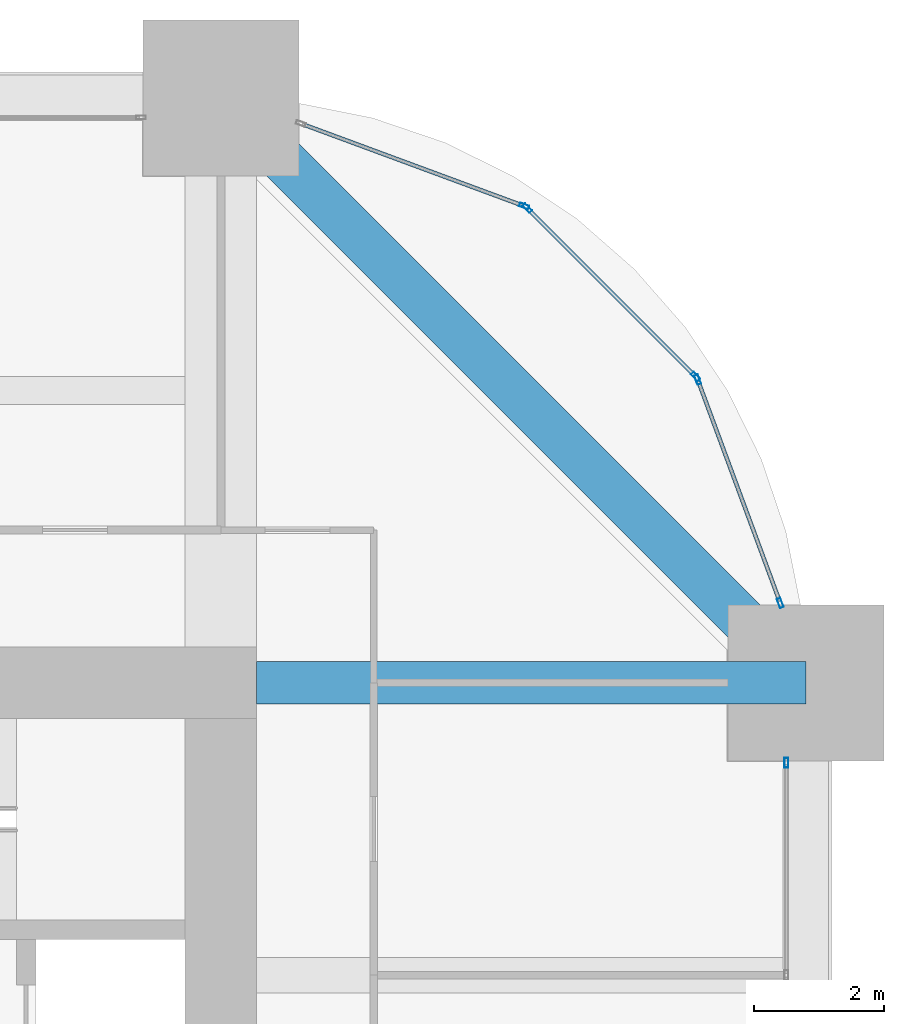
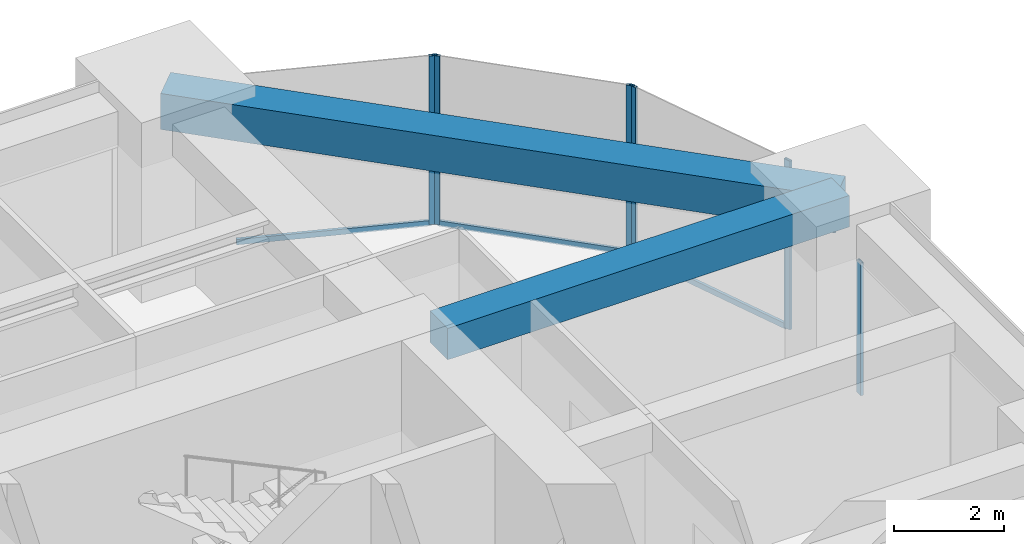
# One storey, part 27 of 33: 9 members, 2 beams, 4 elements without a shape of their own.
"""IFC4 building model written with IfcOpenShell, lengths in metres."""

from ifc_helpers import new_model, si_unit, direction, frame, origin, origin_2d, place, context, subcontext, project, spatial, rectangle, hollow_rectangle, extrude, material, material_profile, profile_set, type_object, element, aggregate, save


model = new_model("IFC4")

# Units and contexts
model_context = context("Model", 3, precision=1e-05, world=origin(), true_north=direction((0.0, 1.0)))
body_context = subcontext(model_context, "Body", "Model", "MODEL_VIEW")
ifc_project = project(units=[si_unit("LENGTHUNIT", "METRE"), si_unit("AREAUNIT", "SQUARE_METRE"), si_unit("VOLUMEUNIT", "CUBIC_METRE"), si_unit("PLANEANGLEUNIT", "RADIAN"), si_unit("MASSUNIT", "GRAM", prefix="KILO")], contexts=[model_context])

# Site, building, storey
site_placement = place(None, origin())
site = spatial("IfcSite", under=ifc_project, at=site_placement, CompositionType="ELEMENT")
building_placement = place(site_placement, origin())
building = spatial("IfcBuilding", under=site, at=building_placement, Name="Zorevar Civic Tower", CompositionType="ELEMENT")
storey_placement = place(building_placement, frame((0.0, 0.0, 206.199951171875)))
storey = spatial("IfcBuildingStorey", under=building, at=storey_placement, Name="L50", CompositionType="ELEMENT", Elevation=206.199951171875)

# Beam
ifc_material_1 = material(Name="Concrete C50/60", Category="concrete")
ifc_material_profile_1 = material_profile(ifc_material_1, rectangle(XDim=0.64990234375, YDim=0.699951171875, at=origin_2d()), Name="RC 650x700")
ifc_profile_set_1 = profile_set([ifc_material_profile_1], Name="Concrete C50/60")
beam_type_1 = type_object("IfcBeamType", Name="Beam RC 650x700", PredefinedType="BEAM", material=ifc_profile_set_1)
beam_1_placement = place(storey_placement, frame((45.550048828125, 36.0, 3.400146484375), z_axis=(1.0, 0.0, 0.0), x_axis=(0.0, 1.0, 0.0)))
element("IfcBeam", 1, at=beam_1_placement, inside=storey, type_object=beam_type_1, Name="Girder L51", PredefinedType="BEAM", context=body_context, shape_type="SweptSolid", body=[
    extrude(rectangle(XDim=0.64990234375, YDim=0.699951171875, at=origin_2d()), origin(), (0.0, 0.0, 1.0), 8.449951171875),
])

# Curtain wall, member
ifc_material_2 = material(Name="Dark grey solar-control glass in black aluminium frame", Category="aluminium")
curtain_wall_type = type_object("IfcCurtainWallType", Name="Curtain wall CW4 high zone", PredefinedType="NOTDEFINED", material=ifc_material_2)
curtain_wall_1_placement = place(storey_placement, origin())
curtain_wall_1 = element("IfcCurtainWall", 2, at=curtain_wall_1_placement, inside=storey, type_object=curtain_wall_type, Name="CW4 L50", PredefinedType="NOTDEFINED")
ifc_material_3 = material(Name="Aluminium, black anodised", Category="aluminium")
ifc_material_profile_2 = material_profile(ifc_material_3, hollow_rectangle(XDim=0.06005859375, YDim=0.14990234375, WallThickness=0.00390625, at=origin_2d()), Name="AL 150x60x4")
ifc_profile_set_2 = profile_set([ifc_material_profile_2], Name="Aluminium, black anodised")
member_type_1 = type_object("IfcMemberType", Name="CW4 mullion AL 150x60x4", PredefinedType="MULLION", material=ifc_profile_set_2)
member_1_placement = place(storey_placement, frame((53.699951171875, 34.77001953125, 0.0), z_axis=(0.0, 0.0, 1.0), x_axis=(-1.0, 0.0, 0.0)))
member_1 = element("IfcMember", 3, at=member_1_placement, type_object=member_type_1, Name="CW4 mullion 3", PredefinedType="MULLION", context=body_context, shape_type="SweptSolid", body=[
    extrude(hollow_rectangle(XDim=0.06005859375, YDim=0.14990234375, WallThickness=0.00390625, at=origin_2d()), origin(), (0.0, 0.0, 1.0), 2.949951171875),
])
aggregate(curtain_wall_1, [member_1])

# Curtain wall, members
curtain_wall_2_placement = place(storey_placement, origin())
curtain_wall_2 = element("IfcCurtainWall", 4, at=curtain_wall_2_placement, inside=storey, type_object=curtain_wall_type, Name="CW4 L50", PredefinedType="NOTDEFINED")
member_2_placement = place(storey_placement, frame((53.6064453125, 37.22802734375, 0.0), z_axis=(0.0, 0.0, 1.0), x_axis=(-0.937974588163, -0.346704012033, 0.0)))
member_2 = element("IfcMember", 5, at=member_2_placement, type_object=member_type_1, Name="CW4 mullion 1", PredefinedType="MULLION", context=body_context, shape_type="SweptSolid", body=[
    extrude(hollow_rectangle(XDim=0.06005859375, YDim=0.14990234375, WallThickness=0.00390625, at=origin_2d()), origin(), (0.0, 0.0, 1.0), 3.75),
])
member_3_placement = place(storey_placement, frame((52.336181640625, 40.66455078125, 0.0), z_axis=(0.0, 0.0, 1.0), x_axis=(-0.937974588163, -0.346704012033, 0.0)))
member_3 = element("IfcMember", 6, at=member_3_placement, type_object=member_type_1, Name="CW4 mullion 2", PredefinedType="MULLION", context=body_context, shape_type="SweptSolid", body=[
    extrude(hollow_rectangle(XDim=0.06005859375, YDim=0.14990234375, WallThickness=0.00390625, at=origin_2d()), origin(), (0.0, 0.0, 1.0), 3.75),
])

curtain_wall_3_placement = place(storey_placement, origin())
curtain_wall_3 = element("IfcCurtainWall", 7, at=curtain_wall_3_placement, inside=storey, type_object=curtain_wall_type, Name="CW4 L50", PredefinedType="NOTDEFINED")
member_4_placement = place(storey_placement, frame((52.3046875, 40.7138671875, 0.0), z_axis=(0.0, 0.0, 1.0), x_axis=(-0.707106781187, -0.707106781187, 0.0)))
member_4 = element("IfcMember", 8, at=member_4_placement, type_object=member_type_1, Name="CW4 mullion 1", PredefinedType="MULLION", context=body_context, shape_type="SweptSolid", body=[
    extrude(hollow_rectangle(XDim=0.06005859375, YDim=0.14990234375, WallThickness=0.00390625, at=origin_2d()), origin(), (0.0, 0.0, 1.0), 3.75),
])
member_5_placement = place(storey_placement, frame((49.7138671875, 43.3046875, 0.0), z_axis=(0.0, 0.0, 1.0), x_axis=(-0.707106781187, -0.707106781187, 0.0)))
member_5 = element("IfcMember", 9, at=member_5_placement, type_object=member_type_1, Name="CW4 mullion 2", PredefinedType="MULLION", context=body_context, shape_type="SweptSolid", body=[
    extrude(hollow_rectangle(XDim=0.06005859375, YDim=0.14990234375, WallThickness=0.00390625, at=origin_2d()), origin(), (0.0, 0.0, 1.0), 3.75),
])

# Curtain wall, member
curtain_wall_4_placement = place(storey_placement, origin())
curtain_wall_4 = element("IfcCurtainWall", 10, at=curtain_wall_4_placement, inside=storey, type_object=curtain_wall_type, Name="CW4 L50", PredefinedType="NOTDEFINED")
member_6_placement = place(storey_placement, frame((49.66455078125, 43.336181640625, 0.0), z_axis=(0.0, 0.0, 1.0), x_axis=(-0.346704012033, -0.937974588163, 0.0)))
member_6 = element("IfcMember", 11, at=member_6_placement, type_object=member_type_1, Name="CW4 mullion 1", PredefinedType="MULLION", context=body_context, shape_type="SweptSolid", body=[
    extrude(hollow_rectangle(XDim=0.06005859375, YDim=0.14990234375, WallThickness=0.00390625, at=origin_2d()), origin(), (0.0, 0.0, 1.0), 3.75),
])

# Member
ifc_material_4 = material(Name="Aluminium, black anodised", Category="aluminium")
ifc_material_profile_3 = material_profile(ifc_material_4, hollow_rectangle(XDim=0.06005859375, YDim=0.1201171875, WallThickness=0.0029296875, at=origin_2d()), Name="AL 120x60x3")
ifc_profile_set_3 = profile_set([ifc_material_profile_3], Name="Aluminium, black anodised")
member_type_2 = type_object("IfcMemberType", Name="CW4 transom AL 120x60x3", PredefinedType="USERDEFINED", material=ifc_profile_set_3)
member_7_placement = place(storey_placement, frame((53.595947265625, 37.25634765625, 0.030029296875), z_axis=(-0.346672169799, 0.93798635741, 0.0), x_axis=(-0.93798635741, -0.346672169799, 0.0)))
member_7 = element("IfcMember", 12, at=member_7_placement, type_object=member_type_2, Name="CW4 sill transom", ObjectType="TRANSOM", PredefinedType="USERDEFINED", context=body_context, shape_type="SweptSolid", body=[
    extrude(hollow_rectangle(XDim=0.06005859375, YDim=0.1201171875, WallThickness=0.0029296875, at=origin_2d()), origin(), (0.0, 0.0, 1.0), 3.603515625),
])

aggregate(curtain_wall_2, [member_2, member_3, member_7])

member_8_placement = place(storey_placement, frame((52.283447265625, 40.735107421875, 0.030029296875), z_axis=(-0.707106781187, 0.707106781187, 0.0), x_axis=(-0.707106781187, -0.707106781187, 0.0)))
member_8 = element("IfcMember", 13, at=member_8_placement, type_object=member_type_2, Name="CW4 sill transom", ObjectType="TRANSOM", PredefinedType="USERDEFINED", context=body_context, shape_type="SweptSolid", body=[
    extrude(hollow_rectangle(XDim=0.06005859375, YDim=0.1201171875, WallThickness=0.0029296875, at=origin_2d()), origin(), (0.0, 0.0, 1.0), 3.60400390625),
])

aggregate(curtain_wall_3, [member_4, member_5, member_8])

member_9_placement = place(storey_placement, frame((49.636474609375, 43.3466796875, 0.030029296875), z_axis=(-0.93798635741, 0.346672169799, 0.0), x_axis=(-0.346672169799, -0.93798635741, 0.0)))
member_9 = element("IfcMember", 14, at=member_9_placement, type_object=member_type_2, Name="CW4 sill transom", ObjectType="TRANSOM", PredefinedType="USERDEFINED", context=body_context, shape_type="SweptSolid", body=[
    extrude(hollow_rectangle(XDim=0.06005859375, YDim=0.1201171875, WallThickness=0.0029296875, at=origin_2d()), origin(), (0.0, 0.0, 1.0), 3.603515625),
])

aggregate(curtain_wall_4, [member_6, member_9])

# Beam
ifc_material_5 = material(Name="Concrete C50/60", Category="concrete")
ifc_material_profile_4 = material_profile(ifc_material_5, rectangle(XDim=0.699951171875, YDim=0.800048828125, at=origin_2d()), Name="RC 700x800")
ifc_profile_set_4 = profile_set([ifc_material_profile_4], Name="Concrete C50/60")
beam_type_2 = type_object("IfcBeamType", Name="Edge beam RC 700x800", PredefinedType="SPANDREL", material=ifc_profile_set_4)
beam_2_placement = place(storey_placement, frame((54.0, 36.0, 3.35009765625), z_axis=(-0.707106781187, 0.707106781187, 0.0), x_axis=(-0.707106781187, -0.707106781187, 0.0)))
element("IfcBeam", 15, at=beam_2_placement, inside=storey, type_object=beam_type_2, Name="Corner edge beam L51", PredefinedType="SPANDREL", context=body_context, shape_type="SweptSolid", body=[
    extrude(rectangle(XDim=0.699951171875, YDim=0.800048828125, at=origin_2d()), origin(), (0.0, 0.0, 1.0), 12.72802734375),
])

save(model, "model.ifc")
